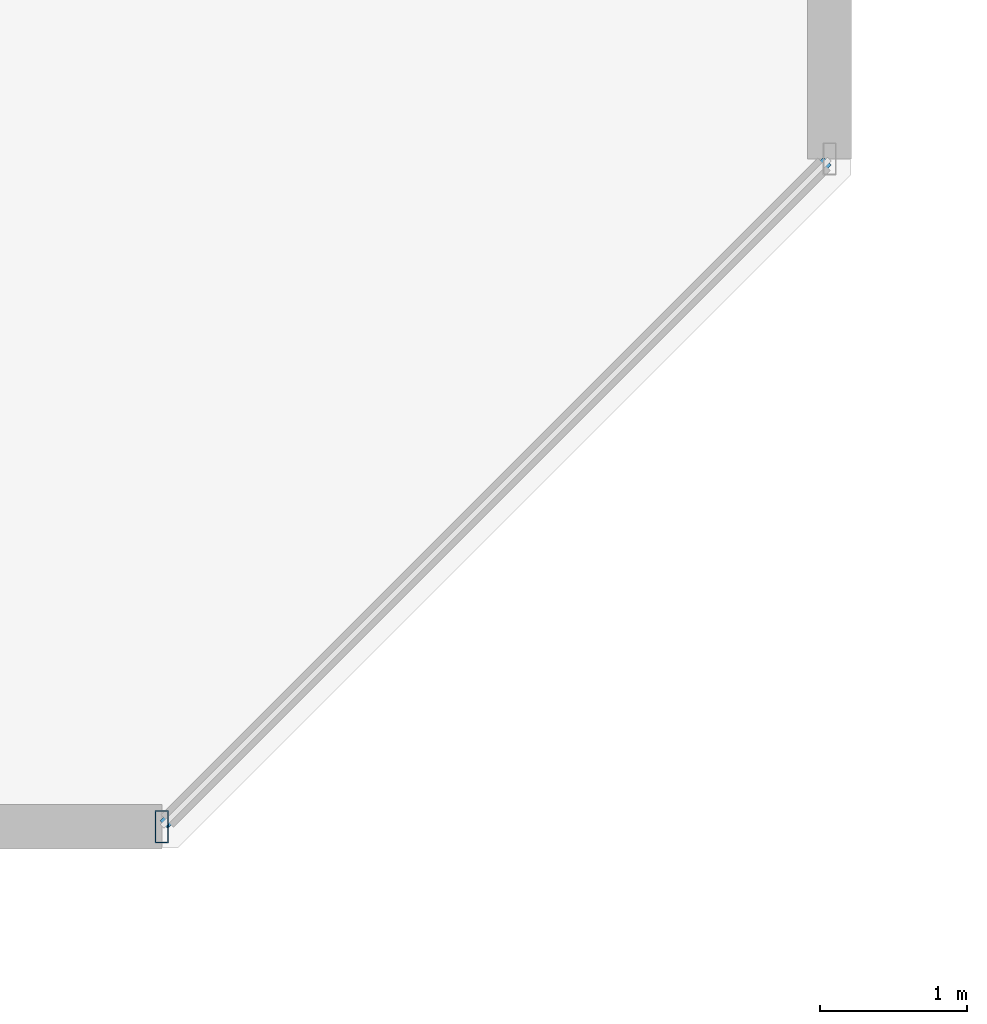
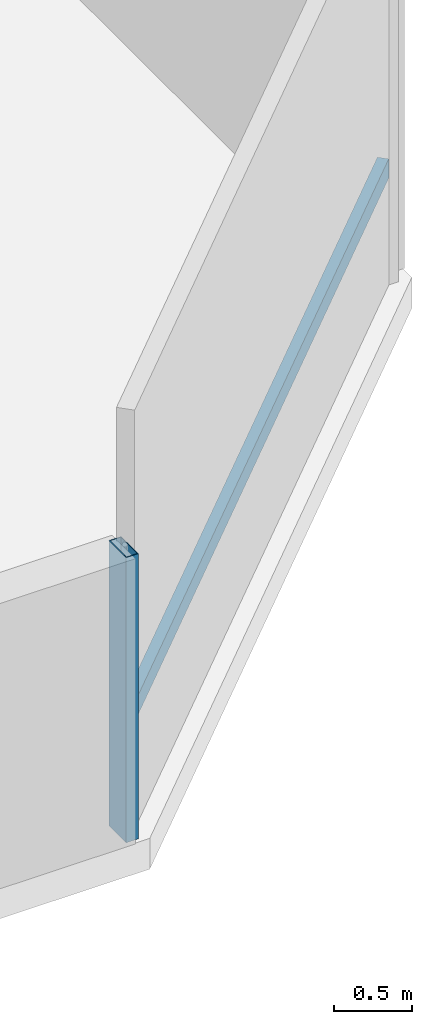
# One storey, part 12 of 36: 2 members, 1 element without a shape of its own.
"""IFC4 building model written with IfcOpenShell, lengths in metres."""

from ifc_helpers import new_model, si_unit, direction, frame, origin, origin_2d, place, context, subcontext, project, spatial, hollow_rectangle, extrude, material, material_profile, profile_set, type_object, element, aggregate, save


model = new_model("IFC4")

# Units and contexts
model_context = context("Model", 3, precision=1e-05, world=origin(), true_north=direction((0.0, 1.0)))
body_context = subcontext(model_context, "Body", "Model", "MODEL_VIEW")
ifc_project = project(units=[si_unit("LENGTHUNIT", "METRE"), si_unit("AREAUNIT", "SQUARE_METRE"), si_unit("VOLUMEUNIT", "CUBIC_METRE"), si_unit("PLANEANGLEUNIT", "RADIAN"), si_unit("MASSUNIT", "GRAM", prefix="KILO")], contexts=[model_context])

# Site, building, storey
site_placement = place(None, origin())
site = spatial("IfcSite", under=ifc_project, at=site_placement, CompositionType="ELEMENT")
building_placement = place(site_placement, origin())
building = spatial("IfcBuilding", under=site, at=building_placement, Name="Thornwick Lancets Civic Towers", CompositionType="ELEMENT")
storey_placement = place(building_placement, frame((0.0, 0.0, 45.89990234375)))
storey = spatial("IfcBuildingStorey", under=building, at=storey_placement, Name="L11", CompositionType="ELEMENT", Elevation=45.89990234375)

# Curtain wall, members
ifc_material_1 = material(Name="Low-zone chamfered-corner unitised glass curtain wall", Category="glass")
curtain_wall_type = type_object("IfcCurtainWallType", Name="CW_SYS_03", PredefinedType="NOTDEFINED", material=ifc_material_1)
curtain_wall_placement = place(storey_placement, origin())
curtain_wall = element("IfcCurtainWall", 1, at=curtain_wall_placement, inside=storey, type_object=curtain_wall_type, Name="L11 Curtain Wall CW-L11-B-E1", PredefinedType="NOTDEFINED")
ifc_material_2 = material(Name="Thermally broken bronze aluminium S355", Category="steel")
ifc_material_profile_1 = material_profile(ifc_material_2, hollow_rectangle(XDim=0.090087890625, YDim=0.219970703125, WallThickness=0.00634765625, at=origin_2d()), Name="RHS 220x90x6.3")
ifc_profile_set_1 = profile_set([ifc_material_profile_1], Name="Thermally broken bronze aluminium S355")
member_type_1 = type_object("IfcMemberType", Name="CW_MUL_220", PredefinedType="MULLION", material=ifc_profile_set_1)
member_1_placement = place(storey_placement, frame((108.224609375, 2.741455078125, 0.0), z_axis=(0.0, 0.0, 1.0), x_axis=(1.0, 0.0, 0.0)))
member_1 = element("IfcMember", 2, at=member_1_placement, type_object=member_type_1, Name="CW-L11-B-E1 Mullion 0", PredefinedType="MULLION", context=body_context, shape_type="SweptSolid", body=[
    extrude(hollow_rectangle(XDim=0.090087890625, YDim=0.219970703125, WallThickness=0.00634765625, at=origin_2d()), origin(), (0.0, 0.0, 1.0), 2.22021484375),
])
ifc_material_profile_2 = material_profile(ifc_material_2, hollow_rectangle(XDim=0.074951171875, YDim=0.14990234375, WallThickness=0.0048828125, at=origin_2d()), Name="RHS 150x75x5")
ifc_profile_set_2 = profile_set([ifc_material_profile_2], Name="Thermally broken bronze aluminium S355")
member_type_2 = type_object("IfcMemberType", Name="CW_TRN_150", PredefinedType="USERDEFINED", material=ifc_profile_set_2)
member_2_placement = place(storey_placement, frame((108.23876953125, 2.755615234375, 0.85009765625), z_axis=(0.707106781187, 0.707106781187, 0.0), x_axis=(-0.707106781187, 0.707106781187, 0.0)))
member_2 = element("IfcMember", 3, at=member_2_placement, type_object=member_type_2, Name="CW-L11-B-E1 Transom 0", ObjectType="TRANSOM", PredefinedType="USERDEFINED", context=body_context, shape_type="SweptSolid", body=[
    extrude(hollow_rectangle(XDim=0.074951171875, YDim=0.14990234375, WallThickness=0.0048828125, at=origin_2d()), origin(), (0.0, 0.0, 1.0), 6.371826171875),
])
aggregate(curtain_wall, [member_1, member_2])

save(model, "model.ifc")
